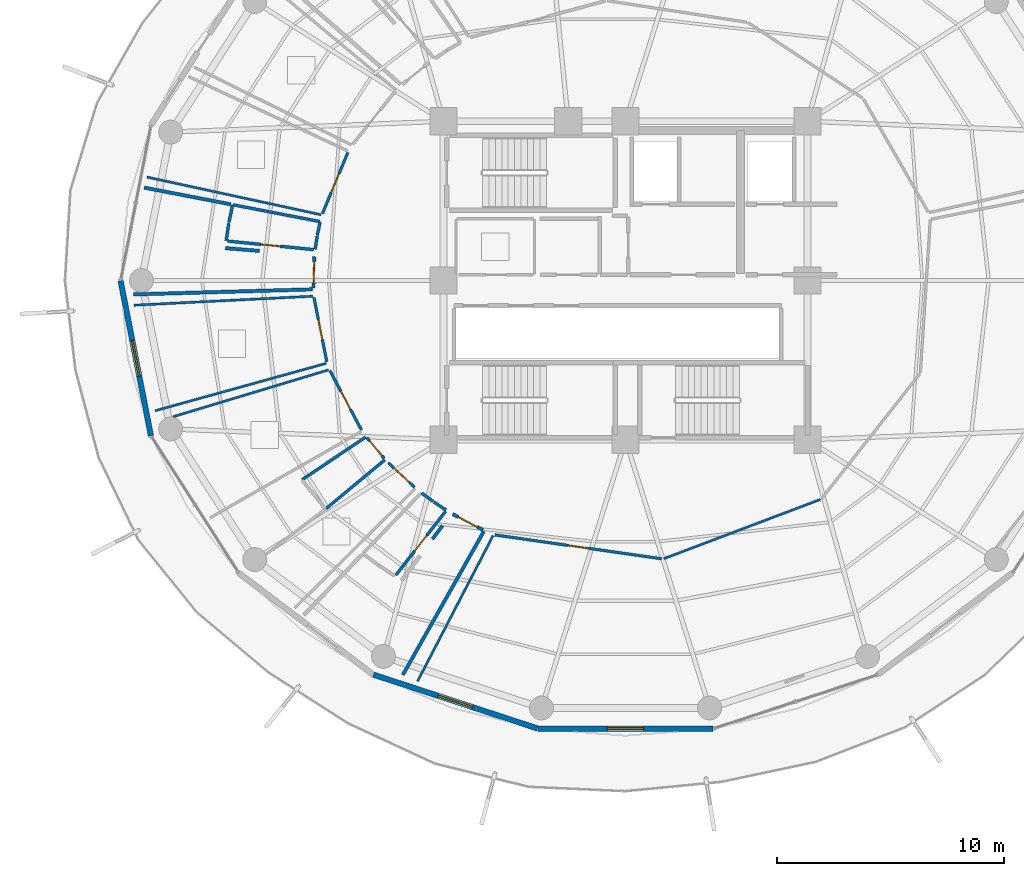
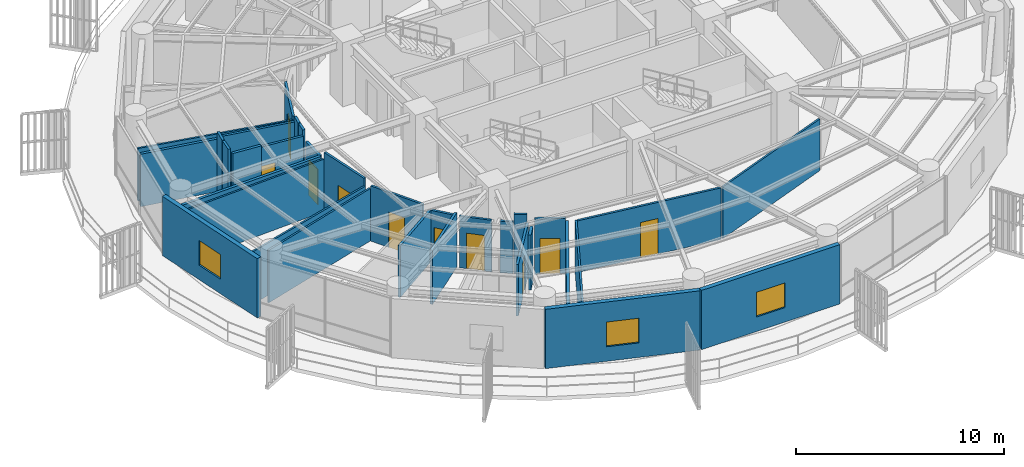
# One storey, part 24 of 31: 33 walls, 10 doors, 3 windows, 13 openings.
"""IFC4 building model written with IfcOpenShell, lengths in metres."""

from ifc_helpers import new_model, si_unit, direction, frame, frame_2d, origin, place, context, subcontext, project, spatial, rectangle, extrude, material, layer, layer_set, type_object, element, fill, save


model = new_model("IFC4")

# Units and contexts
model_context = context("Model", 3, precision=1e-05, world=origin(), true_north=direction((0.0, 1.0)))
body_context = subcontext(model_context, "Body", "Model", "MODEL_VIEW")
ifc_project = project(units=[si_unit("LENGTHUNIT", "METRE"), si_unit("AREAUNIT", "SQUARE_METRE"), si_unit("VOLUMEUNIT", "CUBIC_METRE"), si_unit("PLANEANGLEUNIT", "RADIAN"), si_unit("MASSUNIT", "GRAM", prefix="KILO")], contexts=[model_context])

# Site, building, storey
site_placement = place(None, origin())
site = spatial("IfcSite", under=ifc_project, at=site_placement, CompositionType="ELEMENT")
building_placement = place(site_placement, origin())
building = spatial("IfcBuilding", under=site, at=building_placement, Name="Kelanora Arch Commons", CompositionType="ELEMENT")
storey_placement = place(building_placement, frame((0.0, 0.0, 196.949951171875)))
storey = spatial("IfcBuildingStorey", under=building, at=storey_placement, Name="L50", CompositionType="ELEMENT", Elevation=196.949951171875)

# Wall, opening, door
ifc_material_1 = material(Name="Autoclaved aerated concrete blockwork with fire plaster", Category="masonry")
ifc_layer_1 = layer(ifc_material_1, 0.14990234375)
ifc_layer_set_1 = layer_set([ifc_layer_1], Name="Autoclaved aerated concrete blockwork with fire plaster")
wall_type_1 = type_object("IfcWallType", Name="W-COMP-150", PredefinedType="PARTITIONING", material=ifc_layer_set_1)
wall_1_placement = place(storey_placement, frame((60.322998046875, 59.0458984375, 0.0), z_axis=(0.0, 0.0, 1.0), x_axis=(-0.032172559415, -0.999482329219, 0.0)))
wall_1 = element("IfcWall", 1, at=wall_1_placement, inside=storey, type_object=wall_type_1, Name="Co-Living Studio L50-04 Entry Partition", PredefinedType="PARTITIONING", context=body_context, shape_type="SweptSolid", body=[
    extrude(rectangle(XDim=1.37353515625, YDim=0.14990234375, at=frame_2d((0.686767578125, 0.0))), origin(), (0.0, 0.0, 1.0), 3.025146484375),
])
opening_1_placement = place(wall_1_placement, frame((0.2119140625, 0.0, 0.0)))
opening_1 = element("IfcOpeningElement", 2, at=opening_1_placement, cuts=wall_1, Name="Opening D-CLU1", PredefinedType="OPENING", context=body_context, shape_type="SweptSolid", body=[
    extrude(rectangle(XDim=0.949951171875, YDim=2.080078125, at=frame_2d((0.47509765625, 1.0400390625))), frame((0.0, 0.0849609375, 0.0), z_axis=(0.0, -1.0, 0.0), x_axis=(1.0, 0.0, 0.0)), (0.0, 0.0, 1.0), 0.169921875),
])
ifc_material_2 = material(Name="Solid-core acoustic timber cluster entry fire door", Category="wood")
door_type_1 = type_object("IfcDoorType", Name="D-CLU-95", OperationType="NOTDEFINED", PredefinedType="DOOR", material=ifc_material_2)
door_1_placement = place(opening_1_placement, origin())
door_1 = element("IfcDoor", 3, at=door_1_placement, inside=storey, type_object=door_type_1, Name="Co-Living Studio L50-04 Door", OperationType="SINGLE_SWING_RIGHT", OverallHeight=2.080078125, OverallWidth=0.949951171875, PredefinedType="DOOR", context=body_context, shape_type="SweptSolid", body=[
    extrude(rectangle(XDim=0.949951171875, YDim=2.080078125, at=frame_2d((0.47509765625, 1.0400390625))), frame((0.0, 0.02490234375, 0.0), z_axis=(0.0, -1.0, 0.0), x_axis=(1.0, 0.0, 0.0)), (0.0, 0.0, 1.0), 0.050048828125),
])
fill(opening_1, door_1)

wall_2_placement = place(storey_placement, frame((66.406005859375, 47.73193359375, 0.0), z_axis=(0.0, 0.0, 1.0), x_axis=(0.884766555002, -0.466034487083, 0.0)))
wall_2 = element("IfcWall", 4, at=wall_2_placement, inside=storey, type_object=wall_type_1, Name="Co-Living Studio L50-08 Entry Partition", PredefinedType="PARTITIONING", context=body_context, shape_type="SweptSolid", body=[
    extrude(rectangle(XDim=1.501953125, YDim=0.14990234375, at=frame_2d((0.7509765625, 0.0))), origin(), (0.0, 0.0, 1.0), 3.235107421875),
])
opening_2_placement = place(wall_2_placement, frame((0.27587890625, 0.0, 0.0)))
opening_2 = element("IfcOpeningElement", 5, at=opening_2_placement, cuts=wall_2, Name="Opening D-CLU1", PredefinedType="OPENING", context=body_context, shape_type="SweptSolid", body=[
    extrude(rectangle(XDim=0.949951171875, YDim=2.080078125, at=frame_2d((0.47509765625, 1.0400390625))), frame((0.0, 0.0849609375, 0.0), z_axis=(0.0, -1.0, 0.0), x_axis=(1.0, 0.0, 0.0)), (0.0, 0.0, 1.0), 0.169921875),
])
door_2_placement = place(opening_2_placement, origin())
door_2 = element("IfcDoor", 6, at=door_2_placement, inside=storey, type_object=door_type_1, Name="Co-Living Studio L50-08 Door", OperationType="SINGLE_SWING_RIGHT", OverallHeight=2.080078125, OverallWidth=0.949951171875, PredefinedType="DOOR", context=body_context, shape_type="SweptSolid", body=[
    extrude(rectangle(XDim=0.949951171875, YDim=2.080078125, at=frame_2d((0.47509765625, 1.0400390625))), frame((0.0, 0.02490234375, 0.0), z_axis=(0.0, -1.0, 0.0), x_axis=(1.0, 0.0, 0.0)), (0.0, 0.0, 1.0), 0.050048828125),
])
fill(opening_2, door_2)

# Walls
wall_3_placement = place(storey_placement, frame((60.237060546875, 57.61181640625, 0.0), z_axis=(0.0, 0.0, 1.0), x_axis=(-0.999599617875, -0.028294945576, 0.0)))
element("IfcWall", 7, at=wall_3_placement, inside=storey, type_object=wall_type_1, Name="Co-Living Studio L50-04 Enclosure Partition 2", PredefinedType="PARTITIONING", context=body_context, shape_type="SweptSolid", body=[
    extrude(rectangle(XDim=7.869140625, YDim=0.14990234375, at=frame_2d((3.9345703125, 0.0))), origin(), (0.0, 0.0, 1.0), 3.074951171875),
])
wall_4_placement = place(storey_placement, frame((52.84326171875, 62.08447265625, 0.0), z_axis=(0.0, 0.0, 1.0), x_axis=(0.981831342876, -0.189755669601, 0.0)))
element("IfcWall", 8, at=wall_4_placement, inside=storey, type_object=wall_type_1, Name="Co-Living Studio L50-04 Enclosure Partition 5", PredefinedType="PARTITIONING", context=body_context, shape_type="SweptSolid", body=[
    extrude(rectangle(XDim=3.8779296875, YDim=0.14990234375, at=frame_2d((1.93896484375, 0.0))), origin(), (0.0, 0.0, 1.0), 3.074951171875),
])
wall_5_placement = place(storey_placement, frame((56.406005859375, 59.423828125, 0.0), z_axis=(0.0, 0.0, 1.0), x_axis=(0.996727287989, -0.080837574046, 0.0)))
element("IfcWall", 9, at=wall_5_placement, inside=storey, type_object=wall_type_1, Name="Co-Living Studio L50-04 Enclosure Partition 7", PredefinedType="PARTITIONING", context=body_context, shape_type="SweptSolid", body=[
    extrude(rectangle(XDim=1.510009765625, YDim=0.14990234375, at=frame_2d((0.7548828125, 0.0))), origin(), (0.0, 0.0, 1.0), 3.47998046875),
])
wall_6_placement = place(storey_placement, frame((67.768310546875, 46.96923828125, 0.0), z_axis=(0.0, 0.0, 1.0), x_axis=(-0.491338239217, -0.870968848285, 0.0)))
element("IfcWall", 10, at=wall_6_placement, inside=storey, type_object=wall_type_1, Name="Co-Living Studio L50-08 Enclosure Partition 2", PredefinedType="PARTITIONING", context=body_context, shape_type="SweptSolid", body=[
    extrude(rectangle(XDim=7.24072265625, YDim=0.14990234375, at=frame_2d((3.620361328125, 0.0))), origin(), (0.0, 0.0, 1.0), 3.074951171875),
])
wall_7_placement = place(storey_placement, frame((65.51220703125, 46.633056640625, 0.0), z_axis=(0.0, 0.0, 1.0), x_axis=(0.598093921347, 0.801426017327, 0.0)))
element("IfcWall", 11, at=wall_7_placement, inside=storey, type_object=wall_type_1, Name="Co-Living Studio L50-08 Enclosure Partition 7", PredefinedType="PARTITIONING", context=body_context, shape_type="SweptSolid", body=[
    extrude(rectangle(XDim=0.738525390625, YDim=0.14990234375, at=frame_2d((0.369140625, 0.0))), origin(), (0.0, 0.0, 1.0), 3.235107421875),
])

# Wall, opening, window
ifc_material_3 = material(Name="Precast concrete C40/50 upper-zone terracotta rainscreen", Category="masonry")
ifc_layer_2 = layer(ifc_material_3, 0.239990234375)
ifc_layer_set_2 = layer_set([ifc_layer_2], Name="Precast concrete C40/50 upper-zone terracotta rainscreen")
wall_type_2 = type_object("IfcWallType", Name="W-EXT-TC2", PredefinedType="SOLIDWALL", material=ifc_layer_set_2)
wall_8_placement = place(storey_placement, frame((51.802978515625, 57.9853515625, 0.0), z_axis=(0.0, 0.0, 1.0), x_axis=(0.192069055673, -0.981381413036, 0.0)))
wall_8 = element("IfcWall", 12, at=wall_8_placement, inside=storey, type_object=wall_type_2, Name="Terracotta Exterior Wall L50-B09", PredefinedType="SOLIDWALL", context=body_context, shape_type="SweptSolid", body=[
    extrude(rectangle(XDim=6.940185546875, YDim=0.239990234375, at=frame_2d((3.47021484375, 0.0))), origin(), (0.0, 0.0, 1.0), 3.47509765625),
])
opening_3_placement = place(wall_8_placement, frame((2.669921875, 0.0, 0.85009765625)))
opening_3 = element("IfcOpeningElement", 13, at=opening_3_placement, cuts=wall_8, Name="Opening WN-01", PredefinedType="OPENING", context=body_context, shape_type="SweptSolid", body=[
    extrude(rectangle(XDim=1.60009765625, YDim=1.449951171875, at=frame_2d((0.800048828125, 0.72509765625))), frame((0.0, 0.1298828125, 0.0), z_axis=(0.0, -1.0, 0.0), x_axis=(1.0, 0.0, 0.0)), (0.0, 0.0, 1.0), 0.260009765625),
])
ifc_material_4 = material(Name="Terracotta-anodised aluminium frame with operable low-E glazing", Category="masonry")
window_type = type_object("IfcWindowType", Name="WIN-CL-18", PartitioningType="DOUBLE_PANEL_VERTICAL", PredefinedType="WINDOW", material=ifc_material_4)
window_1_placement = place(opening_3_placement, origin())
window_1 = element("IfcWindow", 14, at=window_1_placement, inside=storey, type_object=window_type, Name="Co-Living Operable Window L50-B09", OverallHeight=1.449951171875, OverallWidth=1.60009765625, PartitioningType="SINGLE_PANEL", PredefinedType="WINDOW", context=body_context, shape_type="SweptSolid", body=[
    extrude(rectangle(XDim=1.60009765625, YDim=1.449951171875, at=frame_2d((0.800048828125, 0.72509765625))), frame((0.0, 0.030029296875, 0.0), z_axis=(0.0, -1.0, 0.0), x_axis=(1.0, 0.0, 0.0)), (0.0, 0.0, 1.0), 0.06005859375),
])
fill(opening_3, window_1)

wall_9_placement = place(storey_placement, frame((62.914306640625, 40.6748046875, 0.0), z_axis=(0.0, 0.0, 1.0), x_axis=(0.95022142767, -0.31157541366, 0.0)))
wall_9 = element("IfcWall", 15, at=wall_9_placement, inside=storey, type_object=wall_type_2, Name="Terracotta Exterior Wall L50-B12", PredefinedType="SOLIDWALL", context=body_context, shape_type="SweptSolid", body=[
    extrude(rectangle(XDim=7.59423828125, YDim=0.239990234375, at=frame_2d((3.797119140625, 0.0))), origin(), (0.0, 0.0, 1.0), 3.47509765625),
])
opening_4_placement = place(wall_9_placement, frame((2.9970703125, 0.0, 0.85009765625)))
opening_4 = element("IfcOpeningElement", 16, at=opening_4_placement, cuts=wall_9, Name="Opening WN-01", PredefinedType="OPENING", context=body_context, shape_type="SweptSolid", body=[
    extrude(rectangle(XDim=1.60009765625, YDim=1.449951171875, at=frame_2d((0.800048828125, 0.72509765625))), frame((0.0, 0.1298828125, 0.0), z_axis=(0.0, -1.0, 0.0), x_axis=(1.0, 0.0, 0.0)), (0.0, 0.0, 1.0), 0.260009765625),
])
window_2_placement = place(opening_4_placement, origin())
window_2 = element("IfcWindow", 17, at=window_2_placement, inside=storey, type_object=window_type, Name="Co-Living Operable Window L50-B12", OverallHeight=1.449951171875, OverallWidth=1.60009765625, PartitioningType="SINGLE_PANEL", PredefinedType="WINDOW", context=body_context, shape_type="SweptSolid", body=[
    extrude(rectangle(XDim=1.60009765625, YDim=1.449951171875, at=frame_2d((0.800048828125, 0.72509765625))), frame((0.0, 0.030029296875, 0.0), z_axis=(0.0, -1.0, 0.0), x_axis=(1.0, 0.0, 0.0)), (0.0, 0.0, 1.0), 0.06005859375),
])
fill(opening_4, window_2)

wall_10_placement = place(storey_placement, frame((70.159912109375, 38.3037109375, 0.0), z_axis=(0.0, 0.0, 1.0), x_axis=(1.0, 0.0, 0.0)))
wall_10 = element("IfcWall", 18, at=wall_10_placement, inside=storey, type_object=wall_type_2, Name="Terracotta Exterior Wall L50-B13", PredefinedType="SOLIDWALL", context=body_context, shape_type="SweptSolid", body=[
    extrude(rectangle(XDim=7.68017578125, YDim=0.239990234375, at=frame_2d((3.840087890625, 0.0))), origin(), (0.0, 0.0, 1.0), 3.47509765625),
])
opening_5_placement = place(wall_10_placement, frame((3.0400390625, 0.0, 0.85009765625)))
opening_5 = element("IfcOpeningElement", 19, at=opening_5_placement, cuts=wall_10, Name="Opening WN-01", PredefinedType="OPENING", context=body_context, shape_type="SweptSolid", body=[
    extrude(rectangle(XDim=1.60009765625, YDim=1.449951171875, at=frame_2d((0.800048828125, 0.72509765625))), frame((0.0, 0.1298828125, 0.0), z_axis=(0.0, -1.0, 0.0), x_axis=(1.0, 0.0, 0.0)), (0.0, 0.0, 1.0), 0.260009765625),
])
window_3_placement = place(opening_5_placement, origin())
window_3 = element("IfcWindow", 20, at=window_3_placement, inside=storey, type_object=window_type, Name="Co-Living Operable Window L50-B13", OverallHeight=1.449951171875, OverallWidth=1.60009765625, PartitioningType="SINGLE_PANEL", PredefinedType="WINDOW", context=body_context, shape_type="SweptSolid", body=[
    extrude(rectangle(XDim=1.60009765625, YDim=1.449951171875, at=frame_2d((0.800048828125, 0.72509765625))), frame((0.0, 0.030029296875, 0.0), z_axis=(0.0, -1.0, 0.0), x_axis=(1.0, 0.0, 0.0)), (0.0, 0.0, 1.0), 0.06005859375),
])
fill(opening_5, window_3)

# Walls
ifc_material_5 = material(Name="Lightweight fire-rated acoustic stud partition")
ifc_layer_3 = layer(ifc_material_5, 0.10009765625)
ifc_layer_set_3 = layer_set([ifc_layer_3], Name="Lightweight fire-rated acoustic stud partition")
wall_type_3 = type_object("IfcWallType", Name="W-PART-100", PredefinedType="PARTITIONING", material=ifc_layer_set_3)
wall_11_placement = place(storey_placement, frame((75.686279296875, 45.773193359375, 0.0), z_axis=(0.0, 0.0, 1.0), x_axis=(0.935263689731, 0.353951734945, 0.0)))
element("IfcWall", 21, at=wall_11_placement, inside=storey, type_object=wall_type_3, Name="South-East Social Sky Lounge L50 Enclosure Partition 2", PredefinedType="PARTITIONING", context=body_context, shape_type="SweptSolid", body=[
    extrude(rectangle(XDim=7.35546875, YDim=0.10009765625, at=frame_2d((3.677734375, 0.0))), origin(), (0.0, 0.0, 1.0), 3.025146484375),
])
wall_12_placement = place(storey_placement, frame((64.8564453125, 40.380615234375, 0.0), z_axis=(0.0, 0.0, 1.0), x_axis=(0.460220418691, 0.887804689231, 0.0)))
element("IfcWall", 22, at=wall_12_placement, inside=storey, type_object=wall_type_3, Name="South-East Social Sky Lounge L50 Enclosure Partition 10", PredefinedType="PARTITIONING", context=body_context, shape_type="SweptSolid", body=[
    extrude(rectangle(XDim=7.21875, YDim=0.10009765625, at=frame_2d((3.609375, 0.0))), origin(), (0.0, 0.0, 1.0), 3.074951171875),
])
wall_13_placement = place(storey_placement, frame((60.61181640625, 60.892578125, 0.0), z_axis=(0.0, 0.0, 1.0), x_axis=(-0.977397622815, 0.211409287676, 0.0)))
element("IfcWall", 23, at=wall_13_placement, inside=storey, type_object=wall_type_3, Name="Quiet Seminar Study Room L50-03 Enclosure Partition 2", PredefinedType="PARTITIONING", context=body_context, shape_type="SweptSolid", body=[
    extrude(rectangle(XDim=7.82861328125, YDim=0.10009765625, at=frame_2d((3.914306640625, 0.0))), origin(), (0.0, 0.0, 1.0), 3.074951171875),
])
wall_14_placement = place(storey_placement, frame((60.840576171875, 54.3583984375, 0.0), z_axis=(0.0, 0.0, 1.0), x_axis=(-0.963696964369, -0.266998428582, 0.0)))
element("IfcWall", 24, at=wall_14_placement, inside=storey, type_object=wall_type_3, Name="Shared Cluster Kitchen L50-05 Enclosure Partition 2", PredefinedType="PARTITIONING", context=body_context, shape_type="SweptSolid", body=[
    extrude(rectangle(XDim=7.80419921875, YDim=0.10009765625, at=frame_2d((3.902099609375, 0.0))), origin(), (0.0, 0.0, 1.0), 3.074951171875),
])
wall_15_placement = place(storey_placement, frame((52.393798828125, 56.9150390625, 0.0), z_axis=(0.0, 0.0, 1.0), x_axis=(0.998738681635, 0.050210016992, 0.0)))
element("IfcWall", 25, at=wall_15_placement, inside=storey, type_object=wall_type_3, Name="Shared Cluster Kitchen L50-05 Enclosure Partition 4", PredefinedType="PARTITIONING", context=body_context, shape_type="SweptSolid", body=[
    extrude(rectangle(XDim=7.867431640625, YDim=0.10009765625, at=frame_2d((3.93359375, 0.0))), origin(), (0.0, 0.0, 1.0), 3.074951171875),
])
wall_16_placement = place(storey_placement, frame((54.113525390625, 52.01318359375, 0.0), z_axis=(0.0, 0.0, 1.0), x_axis=(0.957454305291, 0.288584915198, 0.0)))
element("IfcWall", 26, at=wall_16_placement, inside=storey, type_object=wall_type_3, Name="Social Sky Lounge L50-06 Enclosure Partition 4", PredefinedType="PARTITIONING", context=body_context, shape_type="SweptSolid", body=[
    extrude(rectangle(XDim=7.132568359375, YDim=0.10009765625, at=frame_2d((3.56640625, 0.0))), origin(), (0.0, 0.0, 1.0), 3.074951171875),
])

# Wall, opening, door
ifc_material_6 = material(Name="Acoustic twin-stud fire-rated gypsum partition")
ifc_layer_4 = layer(ifc_material_6, 0.1201171875)
ifc_layer_set_4 = layer_set([ifc_layer_4], Name="Acoustic twin-stud fire-rated gypsum partition")
wall_type_4 = type_object("IfcWallType", Name="W-PART-120", PredefinedType="PARTITIONING", material=ifc_layer_set_4)
wall_17_placement = place(storey_placement, frame((68.25634765625, 46.81640625, 0.0), z_axis=(0.0, 0.0, 1.0), x_axis=(0.989926410659, -0.141582843167, 0.0)))
wall_17 = element("IfcWall", 27, at=wall_17_placement, inside=storey, type_object=wall_type_4, Name="South-East Social Sky Lounge L50 Entry Partition", PredefinedType="PARTITIONING", context=body_context, shape_type="SweptSolid", body=[
    extrude(rectangle(XDim=7.407958984375, YDim=0.1201171875, at=frame_2d((3.7041015625, 0.0))), origin(), (0.0, 0.0, 1.0), 3.025146484375),
])
opening_6_placement = place(wall_17_placement, frame((3.25390625, 0.0, 0.0)))
opening_6 = element("IfcOpeningElement", 28, at=opening_6_placement, cuts=wall_17, Name="Opening D-RM1", PredefinedType="OPENING", context=body_context, shape_type="SweptSolid", body=[
    extrude(rectangle(XDim=0.89990234375, YDim=2.080078125, at=frame_2d((0.449951171875, 1.0400390625))), frame((0.0, 0.070068359375, 0.0), z_axis=(0.0, -1.0, 0.0), x_axis=(1.0, 0.0, 0.0)), (0.0, 0.0, 1.0), 0.14013671875),
])
ifc_material_7 = material(Name="Acoustic fire-rated timber study and lounge door", Category="wood")
door_type_2 = type_object("IfcDoorType", Name="D-ROOM-90", OperationType="NOTDEFINED", PredefinedType="DOOR", material=ifc_material_7)
door_3_placement = place(opening_6_placement, origin())
door_3 = element("IfcDoor", 29, at=door_3_placement, inside=storey, type_object=door_type_2, Name="South-East Social Sky Lounge L50 Door", OperationType="SINGLE_SWING_LEFT", OverallHeight=2.080078125, OverallWidth=0.89990234375, PredefinedType="DOOR", context=body_context, shape_type="SweptSolid", body=[
    extrude(rectangle(XDim=0.89990234375, YDim=2.080078125, at=frame_2d((0.449951171875, 1.0400390625))), frame((0.0, 0.02490234375, 0.0), z_axis=(0.0, -1.0, 0.0), x_axis=(1.0, 0.0, 0.0)), (0.0, 0.0, 1.0), 0.050048828125),
])
fill(opening_6, door_3)

wall_18_placement = place(storey_placement, frame((61.79296875, 63.628662109375, 0.0), z_axis=(0.0, 0.0, 1.0), x_axis=(-0.384145151494, -0.923272713007, 0.0)))
wall_18 = element("IfcWall", 30, at=wall_18_placement, inside=storey, type_object=wall_type_4, Name="Quiet Seminar Study Room L50-03 Entry Partition", PredefinedType="PARTITIONING", context=body_context, shape_type="SweptSolid", body=[
    extrude(rectangle(XDim=2.91259765625, YDim=0.1201171875, at=frame_2d((1.456298828125, 0.0))), origin(), (0.0, 0.0, 1.0), 3.235107421875),
])
opening_7_placement = place(wall_18_placement, frame((1.006103515625, 0.0, 0.0)))
opening_7 = element("IfcOpeningElement", 31, at=opening_7_placement, cuts=wall_18, Name="Opening D-RM1", PredefinedType="OPENING", context=body_context, shape_type="SweptSolid", body=[
    extrude(rectangle(XDim=0.89990234375, YDim=2.080078125, at=frame_2d((0.449951171875, 1.0400390625))), frame((0.0, 0.070068359375, 0.0), z_axis=(0.0, -1.0, 0.0), x_axis=(1.0, 0.0, 0.0)), (0.0, 0.0, 1.0), 0.14013671875),
])
door_4_placement = place(opening_7_placement, origin())
door_4 = element("IfcDoor", 32, at=door_4_placement, inside=storey, type_object=door_type_2, Name="Quiet Seminar Study Room L50-03 Door", OperationType="SINGLE_SWING_RIGHT", OverallHeight=2.080078125, OverallWidth=0.89990234375, PredefinedType="DOOR", context=body_context, shape_type="SweptSolid", body=[
    extrude(rectangle(XDim=0.89990234375, YDim=2.080078125, at=frame_2d((0.449951171875, 1.0400390625))), frame((0.0, 0.02490234375, 0.0), z_axis=(0.0, -1.0, 0.0), x_axis=(1.0, 0.0, 0.0)), (0.0, 0.0, 1.0), 0.050048828125),
])
fill(opening_7, door_4)

wall_19_placement = place(storey_placement, frame((60.302734375, 57.253173828125, 0.0), z_axis=(0.0, 0.0, 1.0), x_axis=(0.195904296331, -0.980623019656, 0.0)))
wall_19 = element("IfcWall", 33, at=wall_19_placement, inside=storey, type_object=wall_type_4, Name="Shared Cluster Kitchen L50-05 Entry Partition", PredefinedType="PARTITIONING", context=body_context, shape_type="SweptSolid", body=[
    extrude(rectangle(XDim=2.88134765625, YDim=0.1201171875, at=frame_2d((1.440673828125, 0.0))), origin(), (0.0, 0.0, 1.0), 3.47998046875),
])
opening_8_placement = place(wall_19_placement, frame((0.990966796875, 0.0, 0.0)))
opening_8 = element("IfcOpeningElement", 34, at=opening_8_placement, cuts=wall_19, Name="Opening D-RM1", PredefinedType="OPENING", context=body_context, shape_type="SweptSolid", body=[
    extrude(rectangle(XDim=0.89990234375, YDim=2.080078125, at=frame_2d((0.449951171875, 1.0400390625))), frame((0.0, 0.070068359375, 0.0), z_axis=(0.0, -1.0, 0.0), x_axis=(1.0, 0.0, 0.0)), (0.0, 0.0, 1.0), 0.14013671875),
])
door_5_placement = place(opening_8_placement, origin())
door_5 = element("IfcDoor", 35, at=door_5_placement, inside=storey, type_object=door_type_2, Name="Shared Cluster Kitchen L50-05 Door", OperationType="SINGLE_SWING_LEFT", OverallHeight=2.080078125, OverallWidth=0.89990234375, PredefinedType="DOOR", context=body_context, shape_type="SweptSolid", body=[
    extrude(rectangle(XDim=0.89990234375, YDim=2.080078125, at=frame_2d((0.449951171875, 1.0400390625))), frame((0.0, 0.02490234375, 0.0), z_axis=(0.0, -1.0, 0.0), x_axis=(1.0, 0.0, 0.0)), (0.0, 0.0, 1.0), 0.050048828125),
])
fill(opening_8, door_5)

wall_20_placement = place(storey_placement, frame((61.009033203125, 54.030029296875, 0.0), z_axis=(0.0, 0.0, 1.0), x_axis=(0.468999166779, -0.883198608219, 0.0)))
wall_20 = element("IfcWall", 36, at=wall_20_placement, inside=storey, type_object=wall_type_4, Name="Social Sky Lounge L50-06 Entry Partition", PredefinedType="PARTITIONING", context=body_context, shape_type="SweptSolid", body=[
    extrude(rectangle(XDim=2.93603515625, YDim=0.1201171875, at=frame_2d((1.468017578125, 0.0))), origin(), (0.0, 0.0, 1.0), 3.235107421875),
])
opening_9_placement = place(wall_20_placement, frame((1.01806640625, 0.0, 0.0)))
opening_9 = element("IfcOpeningElement", 37, at=opening_9_placement, cuts=wall_20, Name="Opening D-RM1", PredefinedType="OPENING", context=body_context, shape_type="SweptSolid", body=[
    extrude(rectangle(XDim=0.89990234375, YDim=2.080078125, at=frame_2d((0.449951171875, 1.0400390625))), frame((0.0, 0.070068359375, 0.0), z_axis=(0.0, -1.0, 0.0), x_axis=(1.0, 0.0, 0.0)), (0.0, 0.0, 1.0), 0.14013671875),
])
door_6_placement = place(opening_9_placement, origin())
door_6 = element("IfcDoor", 38, at=door_6_placement, inside=storey, type_object=door_type_2, Name="Social Sky Lounge L50-06 Door", OperationType="SINGLE_SWING_RIGHT", OverallHeight=2.080078125, OverallWidth=0.89990234375, PredefinedType="DOOR", context=body_context, shape_type="SweptSolid", body=[
    extrude(rectangle(XDim=0.89990234375, YDim=2.080078125, at=frame_2d((0.449951171875, 1.0400390625))), frame((0.0, 0.02490234375, 0.0), z_axis=(0.0, -1.0, 0.0), x_axis=(1.0, 0.0, 0.0)), (0.0, 0.0, 1.0), 0.050048828125),
])
fill(opening_9, door_6)

wall_21_placement = place(storey_placement, frame((63.56884765625, 49.98828125, 0.0), z_axis=(0.0, 0.0, 1.0), x_axis=(0.732453034456, -0.680817561698, 0.0)))
wall_21 = element("IfcWall", 39, at=wall_21_placement, inside=storey, type_object=wall_type_4, Name="Tutorial Study Alcove L50-07 Entry Partition", PredefinedType="PARTITIONING", context=body_context, shape_type="SweptSolid", body=[
    extrude(rectangle(XDim=1.583984375, YDim=0.1201171875, at=frame_2d((0.7919921875, 0.0))), origin(), (0.0, 0.0, 1.0), 3.025146484375),
])
opening_10_placement = place(wall_21_placement, frame((0.342041015625, 0.0, 0.0)))
opening_10 = element("IfcOpeningElement", 40, at=opening_10_placement, cuts=wall_21, Name="Opening D-RM1", PredefinedType="OPENING", context=body_context, shape_type="SweptSolid", body=[
    extrude(rectangle(XDim=0.89990234375, YDim=2.080078125, at=frame_2d((0.449951171875, 1.0400390625))), frame((0.0, 0.070068359375, 0.0), z_axis=(0.0, -1.0, 0.0), x_axis=(1.0, 0.0, 0.0)), (0.0, 0.0, 1.0), 0.14013671875),
])
door_7_placement = place(opening_10_placement, origin())
door_7 = element("IfcDoor", 41, at=door_7_placement, inside=storey, type_object=door_type_2, Name="Tutorial Study Alcove L50-07 Door", OperationType="SINGLE_SWING_RIGHT", OverallHeight=2.080078125, OverallWidth=0.89990234375, PredefinedType="DOOR", context=body_context, shape_type="SweptSolid", body=[
    extrude(rectangle(XDim=0.89990234375, YDim=2.080078125, at=frame_2d((0.449951171875, 1.0400390625))), frame((0.0, 0.02490234375, 0.0), z_axis=(0.0, -1.0, 0.0), x_axis=(1.0, 0.0, 0.0)), (0.0, 0.0, 1.0), 0.050048828125),
])
fill(opening_10, door_7)

ifc_material_8 = material(Name="Moisture-resistant fire-rated cement-board plumbing wall")
ifc_layer_5 = layer(ifc_material_8, 0.1298828125)
ifc_layer_set_5 = layer_set([ifc_layer_5], Name="Moisture-resistant fire-rated cement-board plumbing wall")
wall_type_5 = type_object("IfcWallType", Name="W-WET-120", PredefinedType="PLUMBINGWALL", material=ifc_layer_set_5)
wall_22_placement = place(storey_placement, frame((60.293212890625, 59.35888671875, 0.0), z_axis=(0.0, 0.0, 1.0), x_axis=(-0.995138182823, 0.098488563232, 0.0)))
wall_22 = element("IfcWall", 42, at=wall_22_placement, inside=storey, type_object=wall_type_5, Name="En-Suite Shower WC L50-04 Entry Partition", PredefinedType="PLUMBINGWALL", context=body_context, shape_type="SweptSolid", body=[
    extrude(rectangle(XDim=3.81005859375, YDim=0.1298828125, at=frame_2d((1.905029296875, 0.0))), origin(), (0.0, 0.0, 1.0), 3.175048828125),
])
opening_11_placement = place(wall_22_placement, frame((1.47509765625, 0.0, 0.0)))
opening_11 = element("IfcOpeningElement", 43, at=opening_11_placement, cuts=wall_22, Name="Opening D-BT1", PredefinedType="OPENING", context=body_context, shape_type="SweptSolid", body=[
    extrude(rectangle(XDim=0.860107421875, YDim=2.050048828125, at=frame_2d((0.43017578125, 1.02490234375))), frame((0.0, 0.074951171875, 0.0), z_axis=(0.0, -1.0, 0.0), x_axis=(1.0, 0.0, 0.0)), (0.0, 0.0, 1.0), 0.14990234375),
])
ifc_material_9 = material(Name="Moisture-sealed fire-rated accessible bathroom door")
door_type_3 = type_object("IfcDoorType", Name="D-BATH-85", OperationType="NOTDEFINED", PredefinedType="DOOR", material=ifc_material_9)
door_8_placement = place(opening_11_placement, origin())
door_8 = element("IfcDoor", 44, at=door_8_placement, inside=storey, type_object=door_type_3, Name="En-Suite Shower WC L50-04 Door", OperationType="SINGLE_SWING_LEFT", OverallHeight=2.050048828125, OverallWidth=0.860107421875, PredefinedType="DOOR", context=body_context, shape_type="SweptSolid", body=[
    extrude(rectangle(XDim=0.860107421875, YDim=2.050048828125, at=frame_2d((0.43017578125, 1.02490234375))), frame((0.0, 0.02490234375, 0.0), z_axis=(0.0, -1.0, 0.0), x_axis=(1.0, 0.0, 0.0)), (0.0, 0.0, 1.0), 0.050048828125),
])
fill(opening_11, door_8)

wall_23_placement = place(storey_placement, frame((62.635498046875, 51.0859375, 0.0), z_axis=(0.0, 0.0, 1.0), x_axis=(0.639759255057, -0.768575367526, 0.0)))
wall_23 = element("IfcWall", 45, at=wall_23_placement, inside=storey, type_object=wall_type_5, Name="Accessible Shared Floor WC L50-07 Entry Partition", PredefinedType="PLUMBINGWALL", context=body_context, shape_type="SweptSolid", body=[
    extrude(rectangle(XDim=1.1865234375, YDim=0.1298828125, at=frame_2d((0.59326171875, 0.0))), origin(), (0.0, 0.0, 1.0), 3.025146484375),
])
opening_12_placement = place(wall_23_placement, frame((0.1630859375, 0.0, 0.0)))
opening_12 = element("IfcOpeningElement", 46, at=opening_12_placement, cuts=wall_23, Name="Opening D-BT1", PredefinedType="OPENING", context=body_context, shape_type="SweptSolid", body=[
    extrude(rectangle(XDim=0.860107421875, YDim=2.050048828125, at=frame_2d((0.43017578125, 1.02490234375))), frame((0.0, 0.074951171875, 0.0), z_axis=(0.0, -1.0, 0.0), x_axis=(1.0, 0.0, 0.0)), (0.0, 0.0, 1.0), 0.14990234375),
])
door_9_placement = place(opening_12_placement, origin())
door_9 = element("IfcDoor", 47, at=door_9_placement, inside=storey, type_object=door_type_3, Name="Accessible Shared Floor WC L50-07 Door", OperationType="SINGLE_SWING_LEFT", OverallHeight=2.050048828125, OverallWidth=0.860107421875, PredefinedType="DOOR", context=body_context, shape_type="SweptSolid", body=[
    extrude(rectangle(XDim=0.860107421875, YDim=2.050048828125, at=frame_2d((0.43017578125, 1.02490234375))), frame((0.0, 0.02490234375, 0.0), z_axis=(0.0, -1.0, 0.0), x_axis=(1.0, 0.0, 0.0)), (0.0, 0.0, 1.0), 0.050048828125),
])
fill(opening_12, door_9)

wall_24_placement = place(storey_placement, frame((66.088134765625, 47.852783203125, 0.0), z_axis=(0.0, 0.0, 1.0), x_axis=(-0.614711227896, -0.788752246462, 0.0)))
wall_24 = element("IfcWall", 48, at=wall_24_placement, inside=storey, type_object=wall_type_5, Name="En-Suite Shower WC L50-08 Entry Partition", PredefinedType="PLUMBINGWALL", context=body_context, shape_type="SweptSolid", body=[
    extrude(rectangle(XDim=3.5517578125, YDim=0.1298828125, at=frame_2d((1.77587890625, 0.0))), origin(), (0.0, 0.0, 1.0), 3.025146484375),
])
opening_13_placement = place(wall_24_placement, frame((1.345947265625, 0.0, 0.0)))
opening_13 = element("IfcOpeningElement", 49, at=opening_13_placement, cuts=wall_24, Name="Opening D-BT1", PredefinedType="OPENING", context=body_context, shape_type="SweptSolid", body=[
    extrude(rectangle(XDim=0.860107421875, YDim=2.050048828125, at=frame_2d((0.43017578125, 1.02490234375))), frame((0.0, 0.074951171875, 0.0), z_axis=(0.0, -1.0, 0.0), x_axis=(1.0, 0.0, 0.0)), (0.0, 0.0, 1.0), 0.14990234375),
])
door_10_placement = place(opening_13_placement, origin())
door_10 = element("IfcDoor", 50, at=door_10_placement, inside=storey, type_object=door_type_3, Name="En-Suite Shower WC L50-08 Door", OperationType="SINGLE_SWING_LEFT", OverallHeight=2.050048828125, OverallWidth=0.860107421875, PredefinedType="DOOR", context=body_context, shape_type="SweptSolid", body=[
    extrude(rectangle(XDim=0.860107421875, YDim=2.050048828125, at=frame_2d((0.43017578125, 1.02490234375))), frame((0.0, 0.02490234375, 0.0), z_axis=(0.0, -1.0, 0.0), x_axis=(1.0, 0.0, 0.0)), (0.0, 0.0, 1.0), 0.050048828125),
])
fill(opening_13, door_10)

# Walls
wall_25_placement = place(storey_placement, frame((60.572021484375, 60.5703125, 0.0), z_axis=(0.0, 0.0, 1.0), x_axis=(-0.205112412682, -0.978738421727, 0.0)))
element("IfcWall", 51, at=wall_25_placement, inside=storey, type_object=wall_type_5, Name="En-Suite Shower WC L50-04 Enclosure Partition 1", PredefinedType="PLUMBINGWALL", context=body_context, shape_type="SweptSolid", body=[
    extrude(rectangle(XDim=0.589111328125, YDim=0.1298828125, at=frame_2d((0.29443359375, 0.0))), origin(), (0.0, 0.0, 1.0), 3.47998046875),
])
wall_26_placement = place(storey_placement, frame((60.444091796875, 59.9541015625, 0.0), z_axis=(0.0, 0.0, 1.0), x_axis=(-0.149903785265, -0.98870058924, 0.0)))
element("IfcWall", 52, at=wall_26_placement, inside=storey, type_object=wall_type_5, Name="En-Suite Shower WC L50-04 Enclosure Partition 2", PredefinedType="PLUMBINGWALL", context=body_context, shape_type="SweptSolid", body=[
    extrude(rectangle(XDim=0.587890625, YDim=0.1298828125, at=frame_2d((0.2939453125, 0.0))), origin(), (0.0, 0.0, 1.0), 3.47998046875),
])
wall_27_placement = place(storey_placement, frame((56.445068359375, 59.759765625, 0.0), z_axis=(0.0, 0.0, 1.0), x_axis=(0.149504479532, 0.988761048282, 0.0)))
element("IfcWall", 53, at=wall_27_placement, inside=storey, type_object=wall_type_5, Name="En-Suite Shower WC L50-04 Enclosure Partition 4", PredefinedType="PLUMBINGWALL", context=body_context, shape_type="SweptSolid", body=[
    extrude(rectangle(XDim=0.76904296875, YDim=0.1298828125, at=frame_2d((0.384521484375, 0.0))), origin(), (0.0, 0.0, 1.0), 3.47998046875),
])
wall_28_placement = place(storey_placement, frame((56.567138671875, 60.5595703125, 0.0), z_axis=(0.0, 0.0, 1.0), x_axis=(0.205018710415, 0.978758054056, 0.0)))
element("IfcWall", 54, at=wall_28_placement, inside=storey, type_object=wall_type_5, Name="En-Suite Shower WC L50-04 Enclosure Partition 5", PredefinedType="PLUMBINGWALL", context=body_context, shape_type="SweptSolid", body=[
    extrude(rectangle(XDim=0.769287109375, YDim=0.1298828125, at=frame_2d((0.384765625, 0.0))), origin(), (0.0, 0.0, 1.0), 3.47998046875),
])
wall_29_placement = place(storey_placement, frame((56.74853515625, 61.328125, 0.0), z_axis=(0.0, 0.0, 1.0), x_axis=(0.981906173962, -0.189368068941, 0.0)))
element("IfcWall", 55, at=wall_29_placement, inside=storey, type_object=wall_type_5, Name="En-Suite Shower WC L50-04 Enclosure Partition 6", PredefinedType="PLUMBINGWALL", context=body_context, shape_type="SweptSolid", body=[
    extrude(rectangle(XDim=3.8779296875, YDim=0.1298828125, at=frame_2d((1.93896484375, 0.0))), origin(), (0.0, 0.0, 1.0), 3.175048828125),
])
wall_30_placement = place(storey_placement, frame((63.41748046875, 50.115234375, 0.0), z_axis=(0.0, 0.0, 1.0), x_axis=(-0.76963081868, -0.638489156477, 0.0)))
element("IfcWall", 56, at=wall_30_placement, inside=storey, type_object=wall_type_5, Name="Accessible Shared Floor WC L50-07 Enclosure Partition 2", PredefinedType="PLUMBINGWALL", context=body_context, shape_type="SweptSolid", body=[
    extrude(rectangle(XDim=3.3603515625, YDim=0.1298828125, at=frame_2d((1.68017578125, 0.0))), origin(), (0.0, 0.0, 1.0), 3.175048828125),
])
wall_31_placement = place(storey_placement, frame((59.79052734375, 49.2490234375, 0.0), z_axis=(0.0, 0.0, 1.0), x_axis=(0.830403176275, 0.557162960751, 0.0)))
element("IfcWall", 57, at=wall_31_placement, inside=storey, type_object=wall_type_5, Name="Accessible Shared Floor WC L50-07 Enclosure Partition 4", PredefinedType="PLUMBINGWALL", context=body_context, shape_type="SweptSolid", body=[
    extrude(rectangle(XDim=3.359619140625, YDim=0.1298828125, at=frame_2d((1.6796875, 0.0))), origin(), (0.0, 0.0, 1.0), 3.025146484375),
])
wall_32_placement = place(storey_placement, frame((65.0400390625, 48.658203125, 0.0), z_axis=(0.0, 0.0, 1.0), x_axis=(0.804987739936, -0.593291444867, 0.0)))
element("IfcWall", 58, at=wall_32_placement, inside=storey, type_object=wall_type_5, Name="En-Suite Shower WC L50-08 Enclosure Partition 1", PredefinedType="PLUMBINGWALL", context=body_context, shape_type="SweptSolid", body=[
    extrude(rectangle(XDim=0.630859375, YDim=0.1298828125, at=frame_2d((0.3154296875, 0.0))), origin(), (0.0, 0.0, 1.0), 3.025146484375),
])
wall_33_placement = place(storey_placement, frame((65.580810546875, 48.260986328125, 0.0), z_axis=(0.0, 0.0, 1.0), x_axis=(0.83341242139, -0.55265155014, 0.0)))
element("IfcWall", 59, at=wall_33_placement, inside=storey, type_object=wall_type_5, Name="En-Suite Shower WC L50-08 Enclosure Partition 2", PredefinedType="PLUMBINGWALL", context=body_context, shape_type="SweptSolid", body=[
    extrude(rectangle(XDim=0.633056640625, YDim=0.1298828125, at=frame_2d((0.31640625, 0.0))), origin(), (0.0, 0.0, 1.0), 3.47998046875),
])

save(model, "model.ifc")
